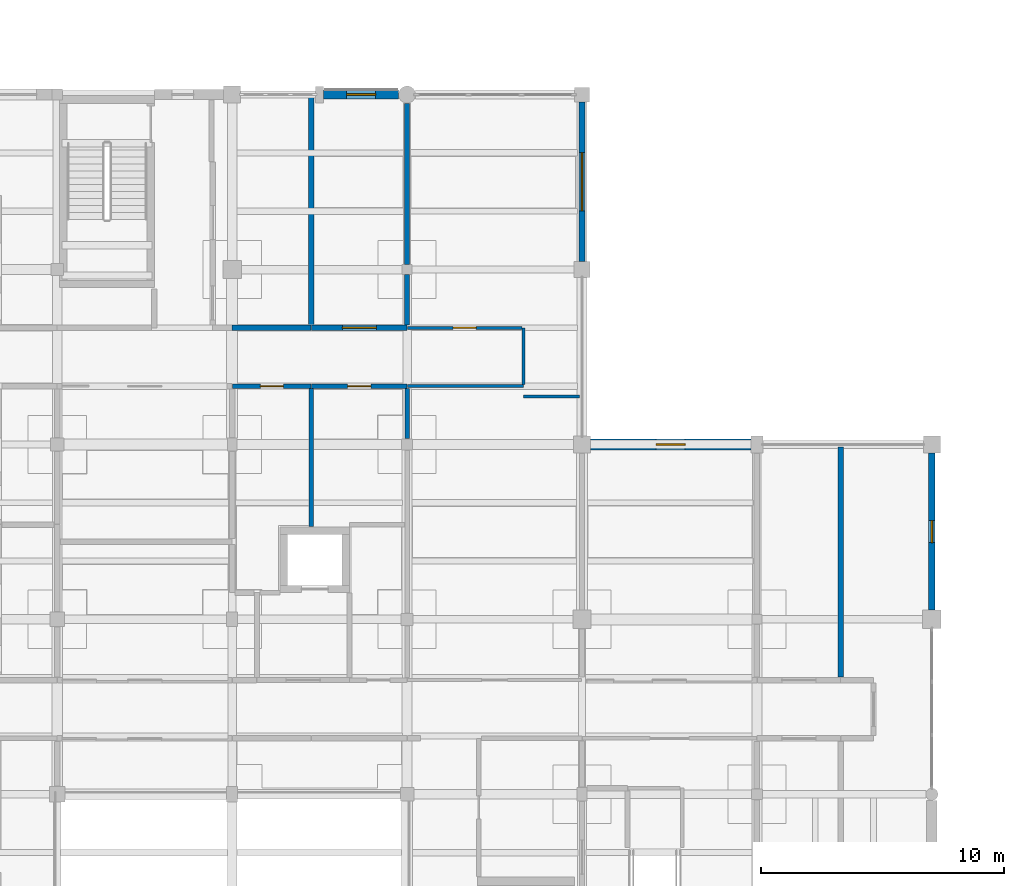
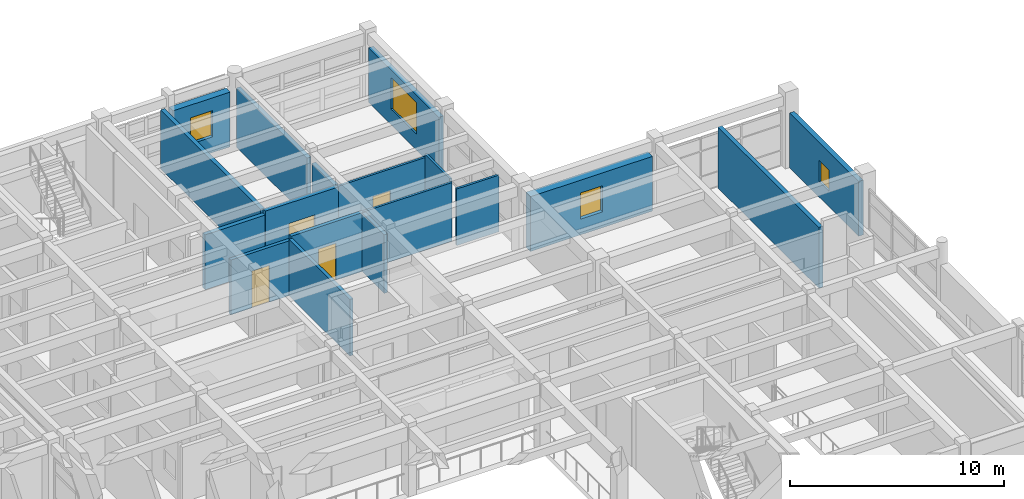
# One storey, part 96 of 110: 18 walls, 4 doors, 4 windows, 8 openings.
"""IFC4 building model written with IfcOpenShell, lengths in metres."""

from ifc_helpers import new_model, si_unit, direction, frame, frame_2d, origin, place, context, subcontext, project, spatial, rectangle, extrude, material, layer, layer_set, type_object, element, fill, save


model = new_model("IFC4")

# Units and contexts
model_context = context("Model", 3, precision=1e-05, world=origin(), true_north=direction((0.0, 1.0)))
body_context = subcontext(model_context, "Body", "Model", "MODEL_VIEW")
ifc_project = project(units=[si_unit("LENGTHUNIT", "METRE"), si_unit("AREAUNIT", "SQUARE_METRE"), si_unit("VOLUMEUNIT", "CUBIC_METRE"), si_unit("PLANEANGLEUNIT", "RADIAN"), si_unit("MASSUNIT", "GRAM", prefix="KILO")], contexts=[model_context])

# Site, building, storey
site_placement = place(None, origin())
site = spatial("IfcSite", under=ifc_project, at=site_placement, CompositionType="ELEMENT")
building_placement = place(site_placement, origin())
building = spatial("IfcBuilding", under=site, at=building_placement, Name="Steenspoor Specialist Clinic", CompositionType="ELEMENT")
storey_placement = place(building_placement, frame((0.0, 0.0, 4.800048828125)))
storey = spatial("IfcBuildingStorey", under=building, at=storey_placement, Name="L01", CompositionType="ELEMENT", Elevation=4.800048828125)

# Wall, opening, window
ifc_material_1 = material(Name="Extruded clay brick masonry", Category="masonry")
ifc_layer_1 = layer(ifc_material_1, 0.3798828125)
ifc_layer_set_1 = layer_set([ifc_layer_1], Name="Extruded clay brick masonry")
wall_type_1 = type_object("IfcWallType", Name="W-BRICK-380", PredefinedType="USERDEFINED", material=ifc_layer_set_1)
wall_1_placement = place(storey_placement, frame((136.169921875, 108.35009765625, 0.0), z_axis=(0.0, 0.0, 1.0), x_axis=(1.0, 0.0, 0.0)))
wall_1 = element("IfcWall", 1, at=wall_1_placement, inside=storey, type_object=wall_type_1, Name="Exterior Brick Wall EW-V6-L01-0321", ObjectType="CAVITY VENEER", PredefinedType="USERDEFINED", context=body_context, shape_type="SweptSolid", body=[
    extrude(rectangle(XDim=3.080078125, YDim=0.3798828125, at=frame_2d((1.5400390625, 0.0))), origin(), (0.0, 0.0, 1.0), 3.1298828125),
])
opening_1_placement = place(wall_1_placement, frame((0.93994140625, 0.0, 0.89990234375)))
opening_1 = element("IfcOpeningElement", 2, at=opening_1_placement, cuts=wall_1, Name="Opening WN-11", PredefinedType="OPENING", context=body_context, shape_type="SweptSolid", body=[
    extrude(rectangle(XDim=1.199951171875, YDim=1.5, at=frame_2d((0.60009765625, 0.75))), frame((0.0, 0.199951171875, 0.0), z_axis=(0.0, -1.0, 0.0), x_axis=(1.0, 0.0, 0.0)), (0.0, 0.0, 1.0), 0.39990234375),
])
ifc_material_2 = material(Name="Thermally broken aluminium and low-emissivity glass", Category="aluminium")
window_type_1 = type_object("IfcWindowType", Name="WN-EXT-120X150", PartitioningType="SINGLE_PANEL", PredefinedType="WINDOW", material=ifc_material_2)
window_1_placement = place(opening_1_placement, origin())
window_1 = element("IfcWindow", 3, at=window_1_placement, inside=storey, type_object=window_type_1, Name="Window 0344", OverallHeight=1.5, OverallWidth=1.199951171875, PartitioningType="SINGLE_PANEL", PredefinedType="WINDOW", context=body_context, shape_type="SweptSolid", body=[
    extrude(rectangle(XDim=1.199951171875, YDim=1.5, at=frame_2d((0.60009765625, 0.75))), frame((0.0, 0.030029296875, 0.0), z_axis=(0.0, -1.0, 0.0), x_axis=(1.0, 0.0, 0.0)), (0.0, 0.0, 1.0), 0.06005859375),
])
fill(opening_1, window_1)

ifc_layer_2 = layer(ifc_material_1, 0.43994140625)
ifc_layer_set_2 = layer_set([ifc_layer_2], Name="Extruded clay brick masonry")
wall_type_2 = type_object("IfcWallType", Name="W-BRICK-440", PredefinedType="USERDEFINED", material=ifc_layer_set_2)
wall_2_placement = place(storey_placement, frame((147.14990234375, 93.949951171875, 0.0), z_axis=(0.0, 0.0, 1.0), x_axis=(1.0, 0.0, 0.0)))
wall_2 = element("IfcWall", 4, at=wall_2_placement, inside=storey, type_object=wall_type_2, Name="Exterior Brick Wall EW-V6-L01-0323", ObjectType="CAVITY VENEER", PredefinedType="USERDEFINED", context=body_context, shape_type="SweptSolid", body=[
    extrude(rectangle(XDim=6.60009765625, YDim=0.43994140625, at=frame_2d((3.300048828125, 0.0))), origin(), (0.0, 0.0, 1.0), 3.1298828125),
])
opening_2_placement = place(wall_2_placement, frame((2.699951171875, 0.0, 0.89990234375)))
opening_2 = element("IfcOpeningElement", 5, at=opening_2_placement, cuts=wall_2, Name="Opening WN-11", PredefinedType="OPENING", context=body_context, shape_type="SweptSolid", body=[
    extrude(rectangle(XDim=1.199951171875, YDim=1.5, at=frame_2d((0.60009765625, 0.75))), frame((0.0, 0.22998046875, 0.0), z_axis=(0.0, -1.0, 0.0), x_axis=(1.0, 0.0, 0.0)), (0.0, 0.0, 1.0), 0.4599609375),
])
window_2_placement = place(opening_2_placement, origin())
window_2 = element("IfcWindow", 6, at=window_2_placement, inside=storey, type_object=window_type_1, Name="Window 0346", OverallHeight=1.5, OverallWidth=1.199951171875, PartitioningType="SINGLE_PANEL", PredefinedType="WINDOW", context=body_context, shape_type="SweptSolid", body=[
    extrude(rectangle(XDim=1.199951171875, YDim=1.5, at=frame_2d((0.60009765625, 0.75))), frame((0.0, 0.030029296875, 0.0), z_axis=(0.0, -1.0, 0.0), x_axis=(1.0, 0.0, 0.0)), (0.0, 0.0, 1.0), 0.06005859375),
])
fill(opening_2, window_2)

# Wall
ifc_material_3 = material(Name="Fire-rated clay blockwork masonry", Category="masonry")
ifc_layer_3 = layer(ifc_material_3, 0.219970703125)
ifc_layer_set_3 = layer_set([ifc_layer_3], Name="Fire-rated clay blockwork masonry")
wall_type_3 = type_object("IfcWallType", Name="W-FIRE-220", PredefinedType="PARTITIONING", material=ifc_layer_set_3)
wall_3_placement = place(storey_placement, frame((132.39990234375, 98.75, 0.0), z_axis=(0.0, 0.0, 1.0), x_axis=(1.0, 0.0, 0.0)))
element("IfcWall", 7, at=wall_3_placement, inside=storey, type_object=wall_type_3, Name="Interior Partition IW-V6-L01-0731", PredefinedType="PARTITIONING", context=body_context, shape_type="SweptSolid", body=[
    extrude(rectangle(XDim=3.25, YDim=0.219970703125, at=frame_2d((1.625, 0.0))), origin(), (0.0, 0.0, 1.0), 3.135009765625),
])

# Wall, opening, door
wall_4_placement = place(storey_placement, frame((135.6650390625, 98.75, 0.0), z_axis=(0.0, 0.0, 1.0), x_axis=(1.0, 0.0, 0.0)))
wall_4 = element("IfcWall", 8, at=wall_4_placement, inside=storey, type_object=wall_type_3, Name="Interior Partition IW-V6-L01-0734", PredefinedType="PARTITIONING", context=body_context, shape_type="SweptSolid", body=[
    extrude(rectangle(XDim=3.93505859375, YDim=0.219970703125, at=frame_2d((1.967529296875, 0.0))), origin(), (0.0, 0.0, 1.0), 3.35498046875),
])
opening_3_placement = place(wall_4_placement, frame((1.267578125, 0.0, 0.0)))
opening_3 = element("IfcOpeningElement", 9, at=opening_3_placement, cuts=wall_4, Name="Opening D0453", PredefinedType="OPENING", context=body_context, shape_type="SweptSolid", body=[
    extrude(rectangle(XDim=1.39990234375, YDim=2.199951171875, at=frame_2d((0.699951171875, 1.10009765625))), frame((0.0, 0.1201171875, 0.0), z_axis=(0.0, -1.0, 0.0), x_axis=(1.0, 0.0, 0.0)), (0.0, 0.0, 1.0), 0.239990234375),
])
ifc_material_4 = material(Name="Fire-rated clinical laminate door", Category="steel")
door_type_1 = type_object("IfcDoorType", Name="DT-LAB-140X220", OperationType="NOTDEFINED", PredefinedType="DOOR", material=ifc_material_4)
door_1_placement = place(opening_3_placement, origin())
door_1 = element("IfcDoor", 10, at=door_1_placement, inside=storey, type_object=door_type_1, Name="Clinical Door D0453", OperationType="SINGLE_SWING_RIGHT", OverallHeight=2.199951171875, OverallWidth=1.39990234375, PredefinedType="DOOR", context=body_context, shape_type="SweptSolid", body=[
    extrude(rectangle(XDim=1.39990234375, YDim=2.199951171875, at=frame_2d((0.699951171875, 1.10009765625))), frame((0.0, 0.02490234375, 0.0), z_axis=(0.0, -1.0, 0.0), x_axis=(1.0, 0.0, 0.0)), (0.0, 0.0, 1.0), 0.050048828125),
])
fill(opening_3, door_1)

# Walls
wall_5_placement = place(storey_placement, frame((157.449951171875, 84.375, 0.0), z_axis=(0.0, 0.0, 1.0), x_axis=(0.0, 1.0, 0.0)))
element("IfcWall", 11, at=wall_5_placement, inside=storey, type_object=wall_type_3, Name="Interior Partition IW-V6-L01-1051", PredefinedType="PARTITIONING", context=body_context, shape_type="SweptSolid", body=[
    extrude(rectangle(XDim=9.469970703125, YDim=0.219970703125, at=frame_2d((4.73486328125, 0.0))), origin(), (0.0, 0.0, 1.0), 3.47998046875),
])
wall_6_placement = place(storey_placement, frame((139.60009765625, 98.875, 0.0), z_axis=(0.0, 0.0, 1.0), x_axis=(0.0, 1.0, 0.0)))
element("IfcWall", 12, at=wall_6_placement, inside=storey, type_object=wall_type_3, Name="Interior Partition IW-V6-L01-1068", PredefinedType="PARTITIONING", context=body_context, shape_type="SweptSolid", body=[
    extrude(rectangle(XDim=2.06005859375, YDim=0.219970703125, at=frame_2d((1.030029296875, 0.0))), origin(), (0.0, 0.0, 1.0), 3.35498046875),
])
wall_7_placement = place(storey_placement, frame((139.60009765625, 101.364990234375, 0.0), z_axis=(0.0, 0.0, 1.0), x_axis=(0.0, 1.0, 0.0)))
element("IfcWall", 13, at=wall_7_placement, inside=storey, type_object=wall_type_3, Name="Interior Partition IW-V6-L01-1069", PredefinedType="PARTITIONING", context=body_context, shape_type="SweptSolid", body=[
    extrude(rectangle(XDim=6.6201171875, YDim=0.219970703125, at=frame_2d((3.31005859375, 0.0))), origin(), (0.0, 0.0, 1.0), 3.385009765625),
])
wall_8_placement = place(storey_placement, frame((135.64990234375, 98.875, 0.0), z_axis=(0.0, 0.0, 1.0), x_axis=(0.0, 1.0, 0.0)))
element("IfcWall", 14, at=wall_8_placement, inside=storey, type_object=wall_type_3, Name="Interior Partition IW-V6-L01-1070", PredefinedType="PARTITIONING", context=body_context, shape_type="SweptSolid", body=[
    extrude(rectangle(XDim=9.3701171875, YDim=0.219970703125, at=frame_2d((4.68505859375, 0.0))), origin(), (0.0, 0.0, 1.0), 3.35498046875),
])
ifc_material_5 = material(Name="Gypsum studio partition board", Category="gypsum")
ifc_layer_4 = layer(ifc_material_5, 0.1201171875)
ifc_layer_set_4 = layer_set([ifc_layer_4], Name="Gypsum studio partition board")
wall_type_4 = type_object("IfcWallType", Name="W-PART-120", PredefinedType="PARTITIONING", material=ifc_layer_set_4)
wall_9_placement = place(storey_placement, frame((139.614990234375, 96.35009765625, 0.0), z_axis=(0.0, 0.0, 1.0), x_axis=(1.0, 0.0, 0.0)))
element("IfcWall", 15, at=wall_9_placement, inside=storey, type_object=wall_type_4, Name="Interior Partition IW-V6-L01-1025", PredefinedType="PARTITIONING", context=body_context, shape_type="SweptSolid", body=[
    extrude(rectangle(XDim=4.784912109375, YDim=0.1201171875, at=frame_2d((2.392578125, 0.0))), origin(), (0.0, 0.0, 1.0), 3.35498046875),
])
wall_10_placement = place(storey_placement, frame((144.39990234375, 96.425048828125, 0.0), z_axis=(0.0, 0.0, 1.0), x_axis=(0.0, 1.0, 0.0)))
element("IfcWall", 16, at=wall_10_placement, inside=storey, type_object=wall_type_4, Name="Interior Partition IW-V6-L01-1026", PredefinedType="PARTITIONING", context=body_context, shape_type="SweptSolid", body=[
    extrude(rectangle(XDim=2.324951171875, YDim=0.1201171875, at=frame_2d((1.16259765625, 0.0))), origin(), (0.0, 0.0, 1.0), 3.514892578125),
])

# Wall, opening, door
wall_11_placement = place(storey_placement, frame((139.614990234375, 98.75, 0.0), z_axis=(0.0, 0.0, 1.0), x_axis=(1.0, 0.0, 0.0)))
wall_11 = element("IfcWall", 17, at=wall_11_placement, inside=storey, type_object=wall_type_4, Name="Interior Partition IW-V6-L01-1027", PredefinedType="PARTITIONING", context=body_context, shape_type="SweptSolid", body=[
    extrude(rectangle(XDim=4.7099609375, YDim=0.1201171875, at=frame_2d((2.35498046875, 0.0))), origin(), (0.0, 0.0, 1.0), 3.35498046875),
])
opening_4_placement = place(wall_11_placement, frame((1.8798828125, 0.0, 0.0)))
opening_4 = element("IfcOpeningElement", 18, at=opening_4_placement, cuts=wall_11, Name="Opening D0450", PredefinedType="OPENING", context=body_context, shape_type="SweptSolid", body=[
    extrude(rectangle(XDim=0.949951171875, YDim=2.10009765625, at=frame_2d((0.47509765625, 1.050048828125))), frame((0.0, 0.070068359375, 0.0), z_axis=(0.0, -1.0, 0.0), x_axis=(1.0, 0.0, 0.0)), (0.0, 0.0, 1.0), 0.14013671875),
])
ifc_material_6 = material(Name="Moisture-resistant HPL sanitary door", Category="wood")
door_type_2 = type_object("IfcDoorType", Name="DT-WC-095X210", OperationType="NOTDEFINED", PredefinedType="DOOR", material=ifc_material_6)
door_2_placement = place(opening_4_placement, origin())
door_2 = element("IfcDoor", 19, at=door_2_placement, inside=storey, type_object=door_type_2, Name="Clinical Door D0450", OperationType="SINGLE_SWING_LEFT", OverallHeight=2.10009765625, OverallWidth=0.949951171875, PredefinedType="DOOR", context=body_context, shape_type="SweptSolid", body=[
    extrude(rectangle(XDim=0.949951171875, YDim=2.10009765625, at=frame_2d((0.47509765625, 1.050048828125))), frame((0.0, 0.02490234375, 0.0), z_axis=(0.0, -1.0, 0.0), x_axis=(1.0, 0.0, 0.0)), (0.0, 0.0, 1.0), 0.050048828125),
])
fill(opening_4, door_2)

# Wall
wall_12_placement = place(storey_placement, frame((144.39990234375, 95.929931640625, 0.0), z_axis=(0.0, 0.0, 1.0), x_axis=(1.0, 0.0, 0.0)))
element("IfcWall", 20, at=wall_12_placement, inside=storey, type_object=wall_type_4, Name="Interior Partition IW-V6-L01-1234", PredefinedType="PARTITIONING", context=body_context, shape_type="SweptSolid", body=[
    extrude(rectangle(XDim=2.295166015625, YDim=0.1201171875, at=frame_2d((1.1474609375, 0.0))), origin(), (0.0, 0.0, 1.0), 3.23486328125),
])

# Wall, opening, door
ifc_material_7 = material(Name="Moisture-resistant gypsum plumbing wall", Category="gypsum")
ifc_layer_5 = layer(ifc_material_7, 0.179931640625)
ifc_layer_set_5 = layer_set([ifc_layer_5], Name="Moisture-resistant gypsum plumbing wall")
wall_type_5 = type_object("IfcWallType", Name="W-PLUMB-180", PredefinedType="PLUMBINGWALL", material=ifc_layer_set_5)
wall_13_placement = place(storey_placement, frame((132.4150390625, 96.35009765625, 0.0), z_axis=(0.0, 0.0, 1.0), x_axis=(1.0, 0.0, 0.0)))
wall_13 = element("IfcWall", 21, at=wall_13_placement, inside=storey, type_object=wall_type_5, Name="Interior Partition IW-V6-L01-0792", PredefinedType="PLUMBINGWALL", context=body_context, shape_type="SweptSolid", body=[
    extrude(rectangle(XDim=3.23486328125, YDim=0.179931640625, at=frame_2d((1.617431640625, 0.0))), origin(), (0.0, 0.0, 1.0), 3.135009765625),
])
opening_5_placement = place(wall_13_placement, frame((1.142578125, 0.0, 0.0)))
opening_5 = element("IfcOpeningElement", 22, at=opening_5_placement, cuts=wall_13, Name="Opening D0446", PredefinedType="OPENING", context=body_context, shape_type="SweptSolid", body=[
    extrude(rectangle(XDim=0.949951171875, YDim=2.10009765625, at=frame_2d((0.47509765625, 1.050048828125))), frame((0.0, 0.10009765625, 0.0), z_axis=(0.0, -1.0, 0.0), x_axis=(1.0, 0.0, 0.0)), (0.0, 0.0, 1.0), 0.199951171875),
])
door_3_placement = place(opening_5_placement, origin())
door_3 = element("IfcDoor", 23, at=door_3_placement, inside=storey, type_object=door_type_2, Name="Clinical Door D0446", OperationType="SINGLE_SWING_LEFT", OverallHeight=2.10009765625, OverallWidth=0.949951171875, PredefinedType="DOOR", context=body_context, shape_type="SweptSolid", body=[
    extrude(rectangle(XDim=0.949951171875, YDim=2.10009765625, at=frame_2d((0.47509765625, 1.050048828125))), frame((0.0, 0.02490234375, 0.0), z_axis=(0.0, -1.0, 0.0), x_axis=(1.0, 0.0, 0.0)), (0.0, 0.0, 1.0), 0.050048828125),
])
fill(opening_5, door_3)

wall_14_placement = place(storey_placement, frame((135.6650390625, 96.35009765625, 0.0), z_axis=(0.0, 0.0, 1.0), x_axis=(1.0, 0.0, 0.0)))
wall_14 = element("IfcWall", 24, at=wall_14_placement, inside=storey, type_object=wall_type_5, Name="Interior Partition IW-V6-L01-0793", PredefinedType="PLUMBINGWALL", context=body_context, shape_type="SweptSolid", body=[
    extrude(rectangle(XDim=3.93505859375, YDim=0.179931640625, at=frame_2d((1.967529296875, 0.0))), origin(), (0.0, 0.0, 1.0), 3.35498046875),
])
opening_6_placement = place(wall_14_placement, frame((1.492431640625, 0.0, 0.0)))
opening_6 = element("IfcOpeningElement", 25, at=opening_6_placement, cuts=wall_14, Name="Opening D0449", PredefinedType="OPENING", context=body_context, shape_type="SweptSolid", body=[
    extrude(rectangle(XDim=0.949951171875, YDim=2.10009765625, at=frame_2d((0.47509765625, 1.050048828125))), frame((0.0, 0.10009765625, 0.0), z_axis=(0.0, -1.0, 0.0), x_axis=(1.0, 0.0, 0.0)), (0.0, 0.0, 1.0), 0.199951171875),
])
door_4_placement = place(opening_6_placement, origin())
door_4 = element("IfcDoor", 26, at=door_4_placement, inside=storey, type_object=door_type_2, Name="Clinical Door D0449", OperationType="SINGLE_SWING_RIGHT", OverallHeight=2.10009765625, OverallWidth=0.949951171875, PredefinedType="DOOR", context=body_context, shape_type="SweptSolid", body=[
    extrude(rectangle(XDim=0.949951171875, YDim=2.10009765625, at=frame_2d((0.47509765625, 1.050048828125))), frame((0.0, 0.02490234375, 0.0), z_axis=(0.0, -1.0, 0.0), x_axis=(1.0, 0.0, 0.0)), (0.0, 0.0, 1.0), 0.050048828125),
])
fill(opening_6, door_4)

# Walls
wall_15_placement = place(storey_placement, frame((139.60009765625, 94.18994140625, 0.0), z_axis=(0.0, 0.0, 1.0), x_axis=(0.0, 1.0, 0.0)))
element("IfcWall", 27, at=wall_15_placement, inside=storey, type_object=wall_type_5, Name="Interior Partition IW-V6-L01-1122", PredefinedType="PLUMBINGWALL", context=body_context, shape_type="SweptSolid", body=[
    extrude(rectangle(XDim=2.05517578125, YDim=0.179931640625, at=frame_2d((1.027587890625, 0.0))), origin(), (0.0, 0.0, 1.0), 3.35498046875),
])
wall_16_placement = place(storey_placement, frame((135.64990234375, 90.56494140625, 0.0), z_axis=(0.0, 0.0, 1.0), x_axis=(0.0, 1.0, 0.0)))
element("IfcWall", 28, at=wall_16_placement, inside=storey, type_object=wall_type_5, Name="Interior Partition IW-V6-L01-1124", PredefinedType="PLUMBINGWALL", context=body_context, shape_type="SweptSolid", body=[
    extrude(rectangle(XDim=5.68017578125, YDim=0.179931640625, at=frame_2d((2.840087890625, 0.0))), origin(), (0.0, 0.0, 1.0), 3.23486328125),
])

# Wall, opening, window
ifc_layer_6 = layer(ifc_material_1, 0.260009765625)
ifc_layer_set_6 = layer_set([ifc_layer_6], Name="Extruded clay brick masonry")
wall_type_6 = type_object("IfcWallType", Name="W-SCREEN-260", PredefinedType="SOLIDWALL", material=ifc_layer_set_6)
wall_17_placement = place(storey_placement, frame((161.199951171875, 93.60009765625, 0.0), z_axis=(0.0, 0.0, 1.0), x_axis=(0.0, -1.0, 0.0)))
wall_17 = element("IfcWall", 29, at=wall_17_placement, inside=storey, type_object=wall_type_6, Name="Exterior Brick Wall EW-V6-L01-0310", PredefinedType="SOLIDWALL", context=body_context, shape_type="SweptSolid", body=[
    extrude(rectangle(XDim=6.47509765625, YDim=0.260009765625, at=frame_2d((3.237548828125, 0.0))), origin(), (0.0, 0.0, 1.0), 3.1298828125),
])
opening_7_placement = place(wall_17_placement, frame((2.78759765625, 0.0, 0.89990234375)))
opening_7 = element("IfcOpeningElement", 30, at=opening_7_placement, cuts=wall_17, Name="Opening WN-21", PredefinedType="OPENING", context=body_context, shape_type="SweptSolid", body=[
    extrude(rectangle(XDim=0.89990234375, YDim=1.199951171875, at=frame_2d((0.449951171875, 0.60009765625))), frame((0.0, 0.14013671875, 0.0), z_axis=(0.0, -1.0, 0.0), x_axis=(1.0, 0.0, 0.0)), (0.0, 0.0, 1.0), 0.280029296875),
])
window_type_2 = type_object("IfcWindowType", Name="WN-EXT-090X120", PartitioningType="SINGLE_PANEL", PredefinedType="WINDOW", material=ifc_material_2)
window_3_placement = place(opening_7_placement, origin())
window_3 = element("IfcWindow", 31, at=window_3_placement, inside=storey, type_object=window_type_2, Name="Window 0332", OverallHeight=1.199951171875, OverallWidth=0.89990234375, PartitioningType="SINGLE_PANEL", PredefinedType="WINDOW", context=body_context, shape_type="SweptSolid", body=[
    extrude(rectangle(XDim=0.89990234375, YDim=1.199951171875, at=frame_2d((0.449951171875, 0.60009765625))), frame((0.0, 0.030029296875, 0.0), z_axis=(0.0, -1.0, 0.0), x_axis=(1.0, 0.0, 0.0)), (0.0, 0.0, 1.0), 0.06005859375),
])
fill(opening_7, window_3)

wall_18_placement = place(storey_placement, frame((146.800048828125, 108.050048828125, 0.0), z_axis=(0.0, 0.0, 1.0), x_axis=(0.0, -1.0, 0.0)))
wall_18 = element("IfcWall", 32, at=wall_18_placement, inside=storey, type_object=wall_type_6, Name="Exterior Brick Wall EW-V6-L01-0322", PredefinedType="SOLIDWALL", context=body_context, shape_type="SweptSolid", body=[
    extrude(rectangle(XDim=6.574951171875, YDim=0.260009765625, at=frame_2d((3.28759765625, 0.0))), origin(), (0.0, 0.0, 1.0), 3.1298828125),
])
opening_8_placement = place(wall_18_placement, frame((2.08740234375, 0.0, 0.89990234375)))
opening_8 = element("IfcOpeningElement", 33, at=opening_8_placement, cuts=wall_18, Name="Opening WN-10", PredefinedType="OPENING", context=body_context, shape_type="SweptSolid", body=[
    extrude(rectangle(XDim=2.39990234375, YDim=1.800048828125, at=frame_2d((1.199951171875, 0.89990234375))), frame((0.0, 0.14013671875, 0.0), z_axis=(0.0, -1.0, 0.0), x_axis=(1.0, 0.0, 0.0)), (0.0, 0.0, 1.0), 0.280029296875),
])
window_type_3 = type_object("IfcWindowType", Name="WN-EXT-240X180", PartitioningType="SINGLE_PANEL", PredefinedType="WINDOW", material=ifc_material_2)
window_4_placement = place(opening_8_placement, origin())
window_4 = element("IfcWindow", 34, at=window_4_placement, inside=storey, type_object=window_type_3, Name="Window 0345", OverallHeight=1.800048828125, OverallWidth=2.39990234375, PartitioningType="SINGLE_PANEL", PredefinedType="WINDOW", context=body_context, shape_type="SweptSolid", body=[
    extrude(rectangle(XDim=2.39990234375, YDim=1.800048828125, at=frame_2d((1.199951171875, 0.89990234375))), frame((0.0, 0.030029296875, 0.0), z_axis=(0.0, -1.0, 0.0), x_axis=(1.0, 0.0, 0.0)), (0.0, 0.0, 1.0), 0.06005859375),
])
fill(opening_8, window_4)

save(model, "model.ifc")
